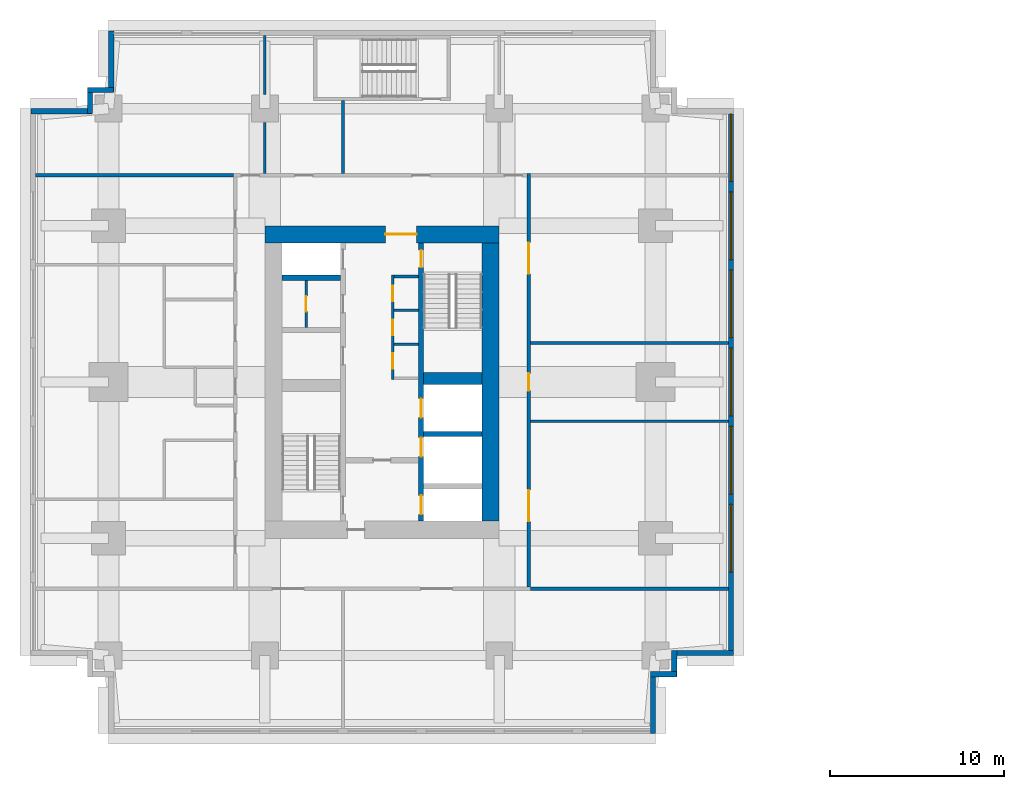
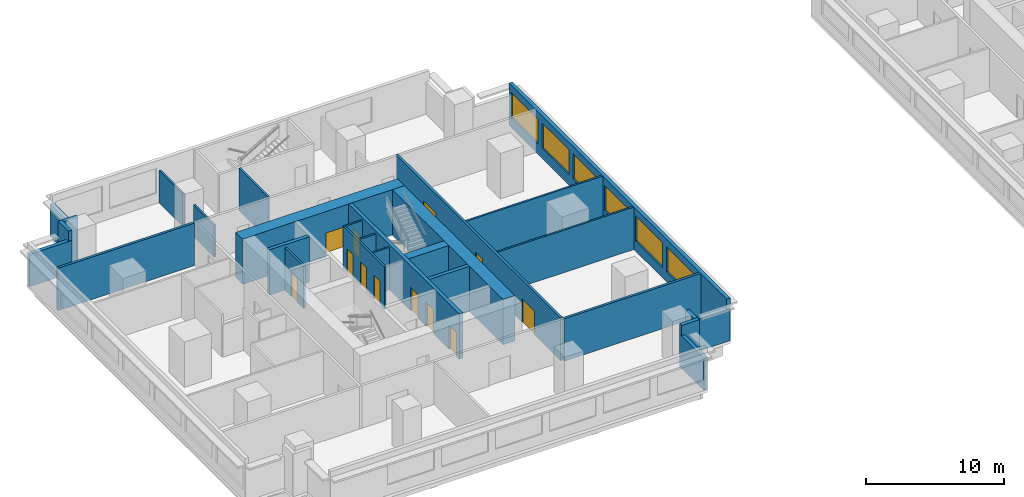
# One storey, part 4 of 11: 28 walls, 12 doors, 6 windows, 18 openings.
"""IFC4 building model written with IfcOpenShell, lengths in metres."""

from ifc_helpers import new_model, si_unit, direction, frame, frame_2d, origin, place, context, subcontext, project, spatial, rectangle, extrude, material, layer, layer_set, type_object, element, fill, save


model = new_model("IFC4")

# Units and contexts
model_context = context("Model", 3, precision=1e-05, world=origin(), true_north=direction((0.0, 1.0)))
body_context = subcontext(model_context, "Body", "Model", "MODEL_VIEW")
ifc_project = project(units=[si_unit("LENGTHUNIT", "METRE"), si_unit("AREAUNIT", "SQUARE_METRE"), si_unit("VOLUMEUNIT", "CUBIC_METRE"), si_unit("PLANEANGLEUNIT", "RADIAN"), si_unit("MASSUNIT", "GRAM", prefix="KILO")], contexts=[model_context])

# Site, building, storey
site_placement = place(None, origin())
site = spatial("IfcSite", under=ifc_project, at=site_placement, CompositionType="ELEMENT")
building_placement = place(site_placement, origin())
building = spatial("IfcBuilding", under=site, at=building_placement, Name="Namib Vertical Campus", CompositionType="ELEMENT")
storey_placement = place(building_placement, frame((0.0, 0.0, 217.0)))
storey = spatial("IfcBuildingStorey", under=building, at=storey_placement, Name="L51", CompositionType="ELEMENT", Elevation=217.0)

# Wall, openings, doors
ifc_material_1 = material(Name="Concrete C60/75", Category="concrete")
ifc_layer_1 = layer(ifc_material_1, 0.300048828125)
ifc_layer_set_1 = layer_set([ifc_layer_1], Name="Concrete C60/75")
wall_type_1 = type_object("IfcWallType", Name="Core inner wall 300", PredefinedType="SHEAR", material=ifc_layer_set_1)
wall_1_placement = place(storey_placement, frame((22.5, 12.25, 0.0), z_axis=(0.0, 0.0, 1.0), x_axis=(0.0, 1.0, 0.0)))
wall_1 = element("IfcWall", 1, at=wall_1_placement, inside=storey, type_object=wall_type_1, Name="Core inner wall A L51 W2", PredefinedType="SHEAR", context=body_context, shape_type="SweptSolid", body=[
    extrude(rectangle(XDim=16.0, YDim=0.300048828125, at=frame_2d((8.0, 0.0))), origin(), (0.0, 0.0, 1.0), 4.0),
])
opening_1_placement = place(wall_1_placement, frame((14.60009765625, 0.0, 0.0)))
opening_1 = element("IfcOpeningElement", 2, at=opening_1_placement, cuts=wall_1, Name="Opening FD1", PredefinedType="OPENING", context=body_context, shape_type="SweptSolid", body=[
    extrude(rectangle(XDim=1.0, YDim=2.10009765625, at=frame_2d((0.5, 1.050048828125))), frame((0.0, 0.159912109375, 0.0), z_axis=(0.0, -1.0, 0.0), x_axis=(1.0, 0.0, 0.0)), (0.0, 0.0, 1.0), 0.320068359375),
])
opening_2_placement = place(wall_1_placement, frame((0.375, 0.0, 0.0)))
opening_2 = element("IfcOpeningElement", 3, at=opening_2_placement, cuts=wall_1, Name="Opening LD1", PredefinedType="OPENING", context=body_context, shape_type="SweptSolid", body=[
    extrude(rectangle(XDim=1.10009765625, YDim=2.10009765625, at=frame_2d((0.550048828125, 1.050048828125))), frame((0.0, 0.159912109375, 0.0), z_axis=(0.0, -1.0, 0.0), x_axis=(1.0, 0.0, 0.0)), (0.0, 0.0, 1.0), 0.320068359375),
])
opening_3_placement = place(wall_1_placement, frame((3.699951171875, 0.0, 0.0)))
opening_3 = element("IfcOpeningElement", 4, at=opening_3_placement, cuts=wall_1, Name="Opening LD1", PredefinedType="OPENING", context=body_context, shape_type="SweptSolid", body=[
    extrude(rectangle(XDim=1.10009765625, YDim=2.10009765625, at=frame_2d((0.550048828125, 1.050048828125))), frame((0.0, 0.159912109375, 0.0), z_axis=(0.0, -1.0, 0.0), x_axis=(1.0, 0.0, 0.0)), (0.0, 0.0, 1.0), 0.320068359375),
])
opening_4_placement = place(wall_1_placement, frame((5.949951171875, 0.0, 0.0)))
opening_4 = element("IfcOpeningElement", 5, at=opening_4_placement, cuts=wall_1, Name="Opening LD1", PredefinedType="OPENING", context=body_context, shape_type="SweptSolid", body=[
    extrude(rectangle(XDim=1.10009765625, YDim=2.10009765625, at=frame_2d((0.550048828125, 1.050048828125))), frame((0.0, 0.159912109375, 0.0), z_axis=(0.0, -1.0, 0.0), x_axis=(1.0, 0.0, 0.0)), (0.0, 0.0, 1.0), 0.320068359375),
])
ifc_material_2 = material(Name="Steel fire door", Category="steel")
door_type_1 = type_object("IfcDoorType", Name="Fire door 1000x2100", OperationType="SINGLE_SWING_RIGHT", PredefinedType="DOOR", material=ifc_material_2)
door_1_placement = place(opening_1_placement, frame((1.0, 0.0, 0.0), z_axis=(0.0, 0.0, 1.0), x_axis=(-1.0, 0.0, 0.0)))
door_1 = element("IfcDoor", 6, at=door_1_placement, inside=storey, type_object=door_type_1, Name="Stair door FD1 A L51 S2", OperationType="SINGLE_SWING_LEFT", OverallHeight=2.10009765625, OverallWidth=1.0, PredefinedType="DOOR", context=body_context, shape_type="SweptSolid", body=[
    extrude(rectangle(XDim=1.0, YDim=2.10009765625, at=frame_2d((0.5, 1.050048828125))), frame((0.0, 0.02490234375, 0.0), z_axis=(0.0, -1.0, 0.0), x_axis=(1.0, 0.0, 0.0)), (0.0, 0.0, 1.0), 0.050048828125),
])
fill(opening_1, door_1)
ifc_material_3 = material(Name="Stainless steel lift door", Category="steel")
door_type_2 = type_object("IfcDoorType", Name="Lift landing door 1100x2100", OperationType="DOUBLE_DOOR_SLIDING", PredefinedType="DOOR", material=ifc_material_3)
door_2_placement = place(opening_2_placement, origin())
door_2 = element("IfcDoor", 7, at=door_2_placement, inside=storey, type_object=door_type_2, Name="Lift landing door LD1 A-FL1 L51", OperationType="DOUBLE_DOOR_SLIDING", OverallHeight=2.10009765625, OverallWidth=1.10009765625, PredefinedType="DOOR", context=body_context, shape_type="SweptSolid", body=[
    extrude(rectangle(XDim=1.10009765625, YDim=2.10009765625, at=frame_2d((0.550048828125, 1.050048828125))), frame((0.0, 0.02490234375, 0.0), z_axis=(0.0, -1.0, 0.0), x_axis=(1.0, 0.0, 0.0)), (0.0, 0.0, 1.0), 0.050048828125),
])
fill(opening_2, door_2)
door_3_placement = place(opening_3_placement, origin())
door_3 = element("IfcDoor", 8, at=door_3_placement, inside=storey, type_object=door_type_2, Name="Lift landing door LD1 A-P4 L51", OperationType="DOUBLE_DOOR_SLIDING", OverallHeight=2.10009765625, OverallWidth=1.10009765625, PredefinedType="DOOR", context=body_context, shape_type="SweptSolid", body=[
    extrude(rectangle(XDim=1.10009765625, YDim=2.10009765625, at=frame_2d((0.550048828125, 1.050048828125))), frame((0.0, 0.02490234375, 0.0), z_axis=(0.0, -1.0, 0.0), x_axis=(1.0, 0.0, 0.0)), (0.0, 0.0, 1.0), 0.050048828125),
])
fill(opening_3, door_3)
door_4_placement = place(opening_4_placement, origin())
door_4 = element("IfcDoor", 9, at=door_4_placement, inside=storey, type_object=door_type_2, Name="Lift landing door LD1 A-P5 L51", OperationType="DOUBLE_DOOR_SLIDING", OverallHeight=2.10009765625, OverallWidth=1.10009765625, PredefinedType="DOOR", context=body_context, shape_type="SweptSolid", body=[
    extrude(rectangle(XDim=1.10009765625, YDim=2.10009765625, at=frame_2d((0.550048828125, 1.050048828125))), frame((0.0, 0.02490234375, 0.0), z_axis=(0.0, -1.0, 0.0), x_axis=(1.0, 0.0, 0.0)), (0.0, 0.0, 1.0), 0.050048828125),
])
fill(opening_4, door_4)

# Walls
for number, where, z_axis, x_axis, name in (
    (10, (22.64990234375, 17.25, 0.0), (0.0, 0.0, 1.0), (1.0, 0.0, 0.0), "Core inner wall A L51 W6"),
    (11, (14.5, 26.25, 0.0), (0.0, 0.0, 1.0), (1.0, 0.0, 0.0), "Core inner wall A L51 W9"),
):
    element("IfcWall", number, at=place(storey_placement, frame(where, z_axis=z_axis, x_axis=x_axis)), inside=storey, type_object=wall_type_1, Name=name, PredefinedType="SHEAR", context=body_context, shape_type="SweptSolid", body=[
        extrude(rectangle(XDim=3.35009765625, YDim=0.300048828125, at=frame_2d((1.675048828125, 0.0))), origin(), (0.0, 0.0, 1.0), 4.0),
    ])
ifc_material_4 = material(Name="Concrete C60/75", Category="concrete")
ifc_layer_2 = layer(ifc_material_4, 0.699951171875)
ifc_layer_set_2 = layer_set([ifc_layer_2], Name="Concrete C60/75")
wall_type_2 = type_object("IfcWallType", Name="Core shear wall 700", PredefinedType="SHEAR", material=ifc_layer_set_2)
wall_2_placement = place(storey_placement, frame((22.64990234375, 20.449951171875, 0.0), z_axis=(0.0, 0.0, 1.0), x_axis=(1.0, 0.0, 0.0)))
element("IfcWall", 12, at=wall_2_placement, inside=storey, type_object=wall_type_2, Name="Core shear wall A L51 W7", PredefinedType="SHEAR", context=body_context, shape_type="SweptSolid", body=[
    extrude(rectangle(XDim=3.35009765625, YDim=0.699951171875, at=frame_2d((1.675048828125, 0.0))), origin(), (0.0, 0.0, 1.0), 4.0),
])
ifc_material_5 = material(Name="Concrete C60/75", Category="concrete")
ifc_layer_3 = layer(ifc_material_5, 1.0)
ifc_layer_set_3 = layer_set([ifc_layer_3], Name="Concrete C60/75")
wall_type_3 = type_object("IfcWallType", Name="Core wall 1000", PredefinedType="SHEAR", material=ifc_layer_set_3)
wall_3_placement = place(storey_placement, frame((26.5, 12.25, 0.0), z_axis=(0.0, 0.0, 1.0), x_axis=(0.0, 1.0, 0.0)))
element("IfcWall", 13, at=wall_3_placement, inside=storey, type_object=wall_type_3, Name="Core wall A L51 2", PredefinedType="SHEAR", context=body_context, shape_type="SweptSolid", body=[
    extrude(rectangle(XDim=16.0, YDim=1.0, at=frame_2d((8.0, 0.0))), origin(), (0.0, 0.0, 1.0), 4.0),
])

# Wall, opening, door
wall_4_placement = place(storey_placement, frame((27.0, 28.75, 0.0), z_axis=(0.0, 0.0, 1.0), x_axis=(-1.0, 0.0, 0.0)))
wall_4 = element("IfcWall", 14, at=wall_4_placement, inside=storey, type_object=wall_type_3, Name="Core wall A L51 3", PredefinedType="SHEAR", context=body_context, shape_type="SweptSolid", body=[
    extrude(rectangle(XDim=13.5, YDim=1.0, at=frame_2d((6.75, 0.0))), origin(), (0.0, 0.0, 1.0), 4.0),
])
opening_5_placement = place(wall_4_placement, frame((4.75, 0.0, 0.0)))
opening_5 = element("IfcOpeningElement", 15, at=opening_5_placement, cuts=wall_4, Name="Opening FD2", PredefinedType="OPENING", context=body_context, shape_type="SweptSolid", body=[
    extrude(rectangle(XDim=1.800048828125, YDim=2.10009765625, at=frame_2d((0.89990234375, 1.050048828125))), frame((0.0, 0.510009765625, 0.0), z_axis=(0.0, -1.0, 0.0), x_axis=(1.0, 0.0, 0.0)), (0.0, 0.0, 1.0), 1.02001953125),
])
ifc_material_6 = material(Name="Steel fire door", Category="steel")
door_type_3 = type_object("IfcDoorType", Name="Fire door double 1800x2100", OperationType="DOUBLE_DOOR_SINGLE_SWING", PredefinedType="DOOR", material=ifc_material_6)
door_5_placement = place(opening_5_placement, origin())
door_5 = element("IfcDoor", 16, at=door_5_placement, inside=storey, type_object=door_type_3, Name="Lift lobby door FD2 A L51", OperationType="DOUBLE_DOOR_SINGLE_SWING", OverallHeight=2.10009765625, OverallWidth=1.800048828125, PredefinedType="DOOR", context=body_context, shape_type="SweptSolid", body=[
    extrude(rectangle(XDim=1.800048828125, YDim=2.10009765625, at=frame_2d((0.89990234375, 1.050048828125))), frame((0.0, 0.02490234375, 0.0), z_axis=(0.0, -1.0, 0.0), x_axis=(1.0, 0.0, 0.0)), (0.0, 0.0, 1.0), 0.050048828125),
])
fill(opening_5, door_5)

# Wall, openings, doors
ifc_material_7 = material(Name="Concrete masonry", Category="masonry")
ifc_layer_4 = layer(ifc_material_7, 0.199951171875)
ifc_layer_set_4 = layer_set([ifc_layer_4], Name="Corridor wall 200")
wall_type_4 = type_object("IfcWallType", Name="Corridor wall 200", PredefinedType="SOLIDWALL", material=ifc_layer_set_4)
wall_5_placement = place(storey_placement, frame((28.699951171875, 8.449951171875, 0.0), z_axis=(0.0, 0.0, 1.0), x_axis=(0.0, 1.0, 0.0)))
wall_5 = element("IfcWall", 17, at=wall_5_placement, inside=storey, type_object=wall_type_4, Name="Corridor wall A L51 CE", PredefinedType="SOLIDWALL", context=body_context, shape_type="SweptSolid", body=[
    extrude(rectangle(XDim=23.800048828125, YDim=0.199951171875, at=frame_2d((11.89990234375, 0.0))), origin(), (0.0, 0.0, 1.0), 3.75),
])
opening_6_placement = place(wall_5_placement, frame((3.77490234375, 0.0, 0.0)))
opening_6 = element("IfcOpeningElement", 18, at=opening_6_placement, cuts=wall_5, Name="Opening CD2", PredefinedType="OPENING", context=body_context, shape_type="SweptSolid", body=[
    extrude(rectangle(XDim=1.800048828125, YDim=2.10009765625, at=frame_2d((0.89990234375, 1.050048828125))), frame((0.0, 0.10986328125, 0.0), z_axis=(0.0, -1.0, 0.0), x_axis=(1.0, 0.0, 0.0)), (0.0, 0.0, 1.0), 0.219970703125),
])
opening_7_placement = place(wall_5_placement, frame((11.300048828125, 0.0, 0.0)))
opening_7 = element("IfcOpeningElement", 19, at=opening_7_placement, cuts=wall_5, Name="Opening CD1", PredefinedType="OPENING", context=body_context, shape_type="SweptSolid", body=[
    extrude(rectangle(XDim=1.0, YDim=2.10009765625, at=frame_2d((0.5, 1.050048828125))), frame((0.0, 0.10986328125, 0.0), z_axis=(0.0, -1.0, 0.0), x_axis=(1.0, 0.0, 0.0)), (0.0, 0.0, 1.0), 0.219970703125),
])
opening_8_placement = place(wall_5_placement, frame((18.02490234375, 0.0, 0.0)))
opening_8 = element("IfcOpeningElement", 20, at=opening_8_placement, cuts=wall_5, Name="Opening CD2", PredefinedType="OPENING", context=body_context, shape_type="SweptSolid", body=[
    extrude(rectangle(XDim=1.800048828125, YDim=2.10009765625, at=frame_2d((0.89990234375, 1.050048828125))), frame((0.0, 0.10986328125, 0.0), z_axis=(0.0, -1.0, 0.0), x_axis=(1.0, 0.0, 0.0)), (0.0, 0.0, 1.0), 0.219970703125),
])
ifc_material_8 = material(Name="Timber fire door leaf", Category="wood")
door_type_4 = type_object("IfcDoorType", Name="Corridor door 1000x2100 20 min", OperationType="SINGLE_SWING_LEFT", PredefinedType="DOOR", material=ifc_material_8)
door_6_placement = place(opening_7_placement, frame((1.0, 0.0, 0.0), z_axis=(0.0, 0.0, 1.0), x_axis=(-1.0, 0.0, 0.0)))
door_6 = element("IfcDoor", 21, at=door_6_placement, inside=storey, type_object=door_type_4, Name="Door CD1 A51-04", OperationType="SINGLE_SWING_RIGHT", OverallHeight=2.10009765625, OverallWidth=1.0, PredefinedType="DOOR", context=body_context, shape_type="SweptSolid", body=[
    extrude(rectangle(XDim=1.0, YDim=2.10009765625, at=frame_2d((0.5, 1.050048828125))), frame((0.0, 0.02490234375, 0.0), z_axis=(0.0, -1.0, 0.0), x_axis=(1.0, 0.0, 0.0)), (0.0, 0.0, 1.0), 0.050048828125),
])
fill(opening_7, door_6)
ifc_material_9 = material(Name="Timber fire door leaf", Category="wood")
door_type_5 = type_object("IfcDoorType", Name="Corridor door double 1800x2100 20 min", OperationType="DOUBLE_DOOR_SINGLE_SWING", PredefinedType="DOOR", material=ifc_material_9)
door_7_placement = place(opening_6_placement, frame((1.800048828125, 0.0, 0.0), z_axis=(0.0, 0.0, 1.0), x_axis=(-1.0, 0.0, 0.0)))
door_7 = element("IfcDoor", 22, at=door_7_placement, inside=storey, type_object=door_type_5, Name="Door CD2 A51-03", OperationType="DOUBLE_DOOR_SINGLE_SWING", OverallHeight=2.10009765625, OverallWidth=1.800048828125, PredefinedType="DOOR", context=body_context, shape_type="SweptSolid", body=[
    extrude(rectangle(XDim=1.800048828125, YDim=2.10009765625, at=frame_2d((0.89990234375, 1.050048828125))), frame((0.0, 0.02490234375, 0.0), z_axis=(0.0, -1.0, 0.0), x_axis=(1.0, 0.0, 0.0)), (0.0, 0.0, 1.0), 0.050048828125),
])
fill(opening_6, door_7)
door_8_placement = place(opening_8_placement, frame((1.800048828125, 0.0, 0.0), z_axis=(0.0, 0.0, 1.0), x_axis=(-1.0, 0.0, 0.0)))
door_8 = element("IfcDoor", 23, at=door_8_placement, inside=storey, type_object=door_type_5, Name="Door CD2 A51-05", OperationType="DOUBLE_DOOR_SINGLE_SWING", OverallHeight=2.10009765625, OverallWidth=1.800048828125, PredefinedType="DOOR", context=body_context, shape_type="SweptSolid", body=[
    extrude(rectangle(XDim=1.800048828125, YDim=2.10009765625, at=frame_2d((0.89990234375, 1.050048828125))), frame((0.0, 0.02490234375, 0.0), z_axis=(0.0, -1.0, 0.0), x_axis=(1.0, 0.0, 0.0)), (0.0, 0.0, 1.0), 0.050048828125),
])
fill(opening_8, door_8)

# Walls
for number, where, z_axis, x_axis, name in (
    (24, (28.800048828125, 8.35009765625, 0.0), (0.0, 0.0, 1.0), (1.0, 0.0, 0.0), "Partition A L51 BSE"),
    (25, (0.300048828125, 32.14990234375, 0.0), (0.0, 0.0, 1.0), (1.0, 0.0, 0.0), "Partition A L51 BNW"),
):
    element("IfcWall", number, at=place(storey_placement, frame(where, z_axis=z_axis, x_axis=x_axis)), inside=storey, type_object=wall_type_4, Name=name, PredefinedType="SOLIDWALL", context=body_context, shape_type="SweptSolid", body=[
        extrude(rectangle(XDim=11.39990234375, YDim=0.199951171875, at=frame_2d((5.699951171875, 0.0))), origin(), (0.0, 0.0, 1.0), 3.75),
    ])
ifc_material_10 = material(Name="Concrete C40/50", Category="concrete")
ifc_layer_5 = layer(ifc_material_10, 0.300048828125)
ifc_layer_set_5 = layer_set([ifc_layer_5], Name="Concrete C40/50")
wall_type_5 = type_object("IfcWallType", Name="External wall 300 board-marked concrete", PredefinedType="STANDARD", material=ifc_layer_set_5)
wall_6_placement = place(storey_placement, frame((35.85009765625, 0.02001953125, 0.0), z_axis=(0.0, 0.0, 1.0), x_axis=(0.0, 1.0, 0.0)))
element("IfcWall", 26, at=wall_6_placement, inside=storey, type_object=wall_type_5, Name="External wall L51 F02", PredefinedType="STANDARD", context=body_context, shape_type="SweptSolid", body=[
    extrude(rectangle(XDim=3.534912109375, YDim=0.300048828125, at=frame_2d((1.767578125, 0.0))), origin(), (0.0, 0.0, 1.0), 2.85009765625),
])
for number, where, z_axis, x_axis, name in (
    (27, (35.719970703125, 3.425048828125, 0.0), (0.0, 0.0, 1.0), (1.0, 0.0, 0.0), "External wall L51 F03"),
    (28, (37.074951171875, 3.294921875, 0.0), (0.0, 0.0, 1.0), (0.0, 1.0, 0.0), "External wall L51 F04"),
):
    element("IfcWall", number, at=place(storey_placement, frame(where, z_axis=z_axis, x_axis=x_axis)), inside=storey, type_object=wall_type_5, Name=name, PredefinedType="STANDARD", context=body_context, shape_type="SweptSolid", body=[
        extrude(rectangle(XDim=1.485107421875, YDim=0.300048828125, at=frame_2d((0.74267578125, 0.0))), origin(), (0.0, 0.0, 1.0), 3.75),
    ])
wall_7_placement = place(storey_placement, frame((36.945068359375, 4.64990234375, 0.0), z_axis=(0.0, 0.0, 1.0), x_axis=(1.0, 0.0, 0.0)))
element("IfcWall", 29, at=wall_7_placement, inside=storey, type_object=wall_type_5, Name="External wall L51 F05", PredefinedType="STANDARD", context=body_context, shape_type="SweptSolid", body=[
    extrude(rectangle(XDim=3.534912109375, YDim=0.300048828125, at=frame_2d((1.767578125, 0.0))), origin(), (0.0, 0.0, 1.0), 2.85009765625),
])

# Wall, openings, windows
wall_8_placement = place(storey_placement, frame((40.35009765625, 4.52001953125, 0.0), z_axis=(0.0, 0.0, 1.0), x_axis=(0.0, 1.0, 0.0)))
wall_8 = element("IfcWall", 30, at=wall_8_placement, inside=storey, type_object=wall_type_5, Name="External wall L51 F06", PredefinedType="STANDARD", context=body_context, shape_type="SweptSolid", body=[
    extrude(rectangle(XDim=31.4599609375, YDim=0.300048828125, at=frame_2d((15.72998046875, 0.0))), origin(), (0.0, 0.0, 1.0), 3.75),
])
opening_9_placement = place(wall_8_placement, frame((4.780029296875, 0.0, 0.89990234375)))
opening_9 = element("IfcOpeningElement", 31, at=opening_9_placement, cuts=wall_8, Name="Opening W1", PredefinedType="OPENING", context=body_context, shape_type="SweptSolid", body=[
    extrude(rectangle(XDim=3.89990234375, YDim=2.199951171875, at=frame_2d((1.949951171875, 1.10009765625))), frame((0.0, 0.159912109375, 0.0), z_axis=(0.0, -1.0, 0.0), x_axis=(1.0, 0.0, 0.0)), (0.0, 0.0, 1.0), 0.320068359375),
])
opening_10_placement = place(wall_8_placement, frame((9.280029296875, 0.0, 0.89990234375)))
opening_10 = element("IfcOpeningElement", 32, at=opening_10_placement, cuts=wall_8, Name="Opening W1", PredefinedType="OPENING", context=body_context, shape_type="SweptSolid", body=[
    extrude(rectangle(XDim=3.89990234375, YDim=2.199951171875, at=frame_2d((1.949951171875, 1.10009765625))), frame((0.0, 0.159912109375, 0.0), z_axis=(0.0, -1.0, 0.0), x_axis=(1.0, 0.0, 0.0)), (0.0, 0.0, 1.0), 0.320068359375),
])
opening_11_placement = place(wall_8_placement, frame((13.780029296875, 0.0, 0.89990234375)))
opening_11 = element("IfcOpeningElement", 33, at=opening_11_placement, cuts=wall_8, Name="Opening W1", PredefinedType="OPENING", context=body_context, shape_type="SweptSolid", body=[
    extrude(rectangle(XDim=3.89990234375, YDim=2.199951171875, at=frame_2d((1.949951171875, 1.10009765625))), frame((0.0, 0.159912109375, 0.0), z_axis=(0.0, -1.0, 0.0), x_axis=(1.0, 0.0, 0.0)), (0.0, 0.0, 1.0), 0.320068359375),
])
opening_12_placement = place(wall_8_placement, frame((18.280029296875, 0.0, 0.89990234375)))
opening_12 = element("IfcOpeningElement", 34, at=opening_12_placement, cuts=wall_8, Name="Opening W1", PredefinedType="OPENING", context=body_context, shape_type="SweptSolid", body=[
    extrude(rectangle(XDim=3.89990234375, YDim=2.199951171875, at=frame_2d((1.949951171875, 1.10009765625))), frame((0.0, 0.159912109375, 0.0), z_axis=(0.0, -1.0, 0.0), x_axis=(1.0, 0.0, 0.0)), (0.0, 0.0, 1.0), 0.320068359375),
])
opening_13_placement = place(wall_8_placement, frame((22.780029296875, 0.0, 0.89990234375)))
opening_13 = element("IfcOpeningElement", 35, at=opening_13_placement, cuts=wall_8, Name="Opening W1", PredefinedType="OPENING", context=body_context, shape_type="SweptSolid", body=[
    extrude(rectangle(XDim=3.89990234375, YDim=2.199951171875, at=frame_2d((1.949951171875, 1.10009765625))), frame((0.0, 0.159912109375, 0.0), z_axis=(0.0, -1.0, 0.0), x_axis=(1.0, 0.0, 0.0)), (0.0, 0.0, 1.0), 0.320068359375),
])
opening_14_placement = place(wall_8_placement, frame((27.280029296875, 0.0, 0.89990234375)))
opening_14 = element("IfcOpeningElement", 36, at=opening_14_placement, cuts=wall_8, Name="Opening W1", PredefinedType="OPENING", context=body_context, shape_type="SweptSolid", body=[
    extrude(rectangle(XDim=3.89990234375, YDim=2.199951171875, at=frame_2d((1.949951171875, 1.10009765625))), frame((0.0, 0.159912109375, 0.0), z_axis=(0.0, -1.0, 0.0), x_axis=(1.0, 0.0, 0.0)), (0.0, 0.0, 1.0), 0.320068359375),
])
ifc_material_11 = material(Name="Dark tinted glass in black aluminium frame", Category="aluminium")
window_type = type_object("IfcWindowType", Name="Ribbon window 3900x2200", PartitioningType="SINGLE_PANEL", PredefinedType="WINDOW", material=ifc_material_11)
window_1_placement = place(opening_9_placement, origin())
window_1 = element("IfcWindow", 37, at=window_1_placement, inside=storey, type_object=window_type, Name="Window W1 L51 F06-2", OverallHeight=2.199951171875, OverallWidth=3.89990234375, PartitioningType="SINGLE_PANEL", PredefinedType="WINDOW", context=body_context, shape_type="SweptSolid", body=[
    extrude(rectangle(XDim=3.89990234375, YDim=2.199951171875, at=frame_2d((1.949951171875, 1.10009765625))), frame((0.0, 0.030029296875, 0.0), z_axis=(0.0, -1.0, 0.0), x_axis=(1.0, 0.0, 0.0)), (0.0, 0.0, 1.0), 0.06005859375),
])
fill(opening_9, window_1)
window_2_placement = place(opening_10_placement, origin())
window_2 = element("IfcWindow", 38, at=window_2_placement, inside=storey, type_object=window_type, Name="Window W1 L51 F06-3", OverallHeight=2.199951171875, OverallWidth=3.89990234375, PartitioningType="SINGLE_PANEL", PredefinedType="WINDOW", context=body_context, shape_type="SweptSolid", body=[
    extrude(rectangle(XDim=3.89990234375, YDim=2.199951171875, at=frame_2d((1.949951171875, 1.10009765625))), frame((0.0, 0.030029296875, 0.0), z_axis=(0.0, -1.0, 0.0), x_axis=(1.0, 0.0, 0.0)), (0.0, 0.0, 1.0), 0.06005859375),
])
fill(opening_10, window_2)
window_3_placement = place(opening_11_placement, origin())
window_3 = element("IfcWindow", 39, at=window_3_placement, inside=storey, type_object=window_type, Name="Window W1 L51 F06-4", OverallHeight=2.199951171875, OverallWidth=3.89990234375, PartitioningType="SINGLE_PANEL", PredefinedType="WINDOW", context=body_context, shape_type="SweptSolid", body=[
    extrude(rectangle(XDim=3.89990234375, YDim=2.199951171875, at=frame_2d((1.949951171875, 1.10009765625))), frame((0.0, 0.030029296875, 0.0), z_axis=(0.0, -1.0, 0.0), x_axis=(1.0, 0.0, 0.0)), (0.0, 0.0, 1.0), 0.06005859375),
])
fill(opening_11, window_3)
window_4_placement = place(opening_12_placement, origin())
window_4 = element("IfcWindow", 40, at=window_4_placement, inside=storey, type_object=window_type, Name="Window W1 L51 F06-5", OverallHeight=2.199951171875, OverallWidth=3.89990234375, PartitioningType="SINGLE_PANEL", PredefinedType="WINDOW", context=body_context, shape_type="SweptSolid", body=[
    extrude(rectangle(XDim=3.89990234375, YDim=2.199951171875, at=frame_2d((1.949951171875, 1.10009765625))), frame((0.0, 0.030029296875, 0.0), z_axis=(0.0, -1.0, 0.0), x_axis=(1.0, 0.0, 0.0)), (0.0, 0.0, 1.0), 0.06005859375),
])
fill(opening_12, window_4)
window_5_placement = place(opening_13_placement, origin())
window_5 = element("IfcWindow", 41, at=window_5_placement, inside=storey, type_object=window_type, Name="Window W1 L51 F06-6", OverallHeight=2.199951171875, OverallWidth=3.89990234375, PartitioningType="SINGLE_PANEL", PredefinedType="WINDOW", context=body_context, shape_type="SweptSolid", body=[
    extrude(rectangle(XDim=3.89990234375, YDim=2.199951171875, at=frame_2d((1.949951171875, 1.10009765625))), frame((0.0, 0.030029296875, 0.0), z_axis=(0.0, -1.0, 0.0), x_axis=(1.0, 0.0, 0.0)), (0.0, 0.0, 1.0), 0.06005859375),
])
fill(opening_13, window_5)
window_6_placement = place(opening_14_placement, origin())
window_6 = element("IfcWindow", 42, at=window_6_placement, inside=storey, type_object=window_type, Name="Window W1 L51 F06-7", OverallHeight=2.199951171875, OverallWidth=3.89990234375, PartitioningType="SINGLE_PANEL", PredefinedType="WINDOW", context=body_context, shape_type="SweptSolid", body=[
    extrude(rectangle(XDim=3.89990234375, YDim=2.199951171875, at=frame_2d((1.949951171875, 1.10009765625))), frame((0.0, 0.030029296875, 0.0), z_axis=(0.0, -1.0, 0.0), x_axis=(1.0, 0.0, 0.0)), (0.0, 0.0, 1.0), 0.06005859375),
])
fill(opening_14, window_6)

# Walls
wall_9_placement = place(storey_placement, frame((4.64990234375, 40.47998046875, 0.0), z_axis=(0.0, 0.0, 1.0), x_axis=(0.0, -1.0, 0.0)))
element("IfcWall", 43, at=wall_9_placement, inside=storey, type_object=wall_type_5, Name="External wall L51 F12", PredefinedType="STANDARD", context=body_context, shape_type="SweptSolid", body=[
    extrude(rectangle(XDim=3.534912109375, YDim=0.300048828125, at=frame_2d((1.767578125, 0.0))), origin(), (0.0, 0.0, 1.0), 2.85009765625),
])
for number, where, z_axis, x_axis, name in (
    (44, (4.780029296875, 37.074951171875, 0.0), (0.0, 0.0, 1.0), (-1.0, 0.0, 0.0), "External wall L51 F13"),
    (45, (3.425048828125, 37.205078125, 0.0), (0.0, 0.0, 1.0), (0.0, -1.0, 0.0), "External wall L51 F14"),
):
    element("IfcWall", number, at=place(storey_placement, frame(where, z_axis=z_axis, x_axis=x_axis)), inside=storey, type_object=wall_type_5, Name=name, PredefinedType="STANDARD", context=body_context, shape_type="SweptSolid", body=[
        extrude(rectangle(XDim=1.485107421875, YDim=0.300048828125, at=frame_2d((0.74267578125, 0.0))), origin(), (0.0, 0.0, 1.0), 3.75),
    ])
wall_10_placement = place(storey_placement, frame((3.554931640625, 35.85009765625, 0.0), z_axis=(0.0, 0.0, 1.0), x_axis=(-1.0, 0.0, 0.0)))
element("IfcWall", 46, at=wall_10_placement, inside=storey, type_object=wall_type_5, Name="External wall L51 F15", PredefinedType="STANDARD", context=body_context, shape_type="SweptSolid", body=[
    extrude(rectangle(XDim=3.534912109375, YDim=0.300048828125, at=frame_2d((1.767578125, 0.0))), origin(), (0.0, 0.0, 1.0), 2.85009765625),
])

# Wall, openings, doors
ifc_material_12 = material(Name="Gypsum board on steel studs", Category="steel")
ifc_layer_6 = layer(ifc_material_12, 0.14990234375)
ifc_layer_set_6 = layer_set([ifc_layer_6], Name="Gypsum board on steel studs")
wall_type_6 = type_object("IfcWallType", Name="Partition 150", PredefinedType="PARTITIONING", material=ifc_layer_set_6)
wall_11_placement = place(storey_placement, frame((20.875, 20.39990234375, 0.0), z_axis=(0.0, 0.0, 1.0), x_axis=(0.0, 1.0, 0.0)))
wall_11 = element("IfcWall", 47, at=wall_11_placement, inside=storey, type_object=wall_type_6, Name="Partition A L51 Records store and Cleaners' store and Linen store front", PredefinedType="PARTITIONING", context=body_context, shape_type="SweptSolid", body=[
    extrude(rectangle(XDim=6.0, YDim=0.14990234375, at=frame_2d((3.0, 0.0))), origin(), (0.0, 0.0, 1.0), 3.75),
])
opening_15_placement = place(wall_11_placement, frame((0.60009765625, 0.0, 0.0)))
opening_15 = element("IfcOpeningElement", 48, at=opening_15_placement, cuts=wall_11, Name="Opening D3", PredefinedType="OPENING", context=body_context, shape_type="SweptSolid", body=[
    extrude(rectangle(XDim=0.89990234375, YDim=2.10009765625, at=frame_2d((0.449951171875, 1.050048828125))), frame((0.0, 0.0849609375, 0.0), z_axis=(0.0, -1.0, 0.0), x_axis=(1.0, 0.0, 0.0)), (0.0, 0.0, 1.0), 0.169921875),
])
opening_16_placement = place(wall_11_placement, frame((2.550048828125, 0.0, 0.0)))
opening_16 = element("IfcOpeningElement", 49, at=opening_16_placement, cuts=wall_11, Name="Opening D3", PredefinedType="OPENING", context=body_context, shape_type="SweptSolid", body=[
    extrude(rectangle(XDim=0.89990234375, YDim=2.10009765625, at=frame_2d((0.449951171875, 1.050048828125))), frame((0.0, 0.0849609375, 0.0), z_axis=(0.0, -1.0, 0.0), x_axis=(1.0, 0.0, 0.0)), (0.0, 0.0, 1.0), 0.169921875),
])
opening_17_placement = place(wall_11_placement, frame((4.5, 0.0, 0.0)))
opening_17 = element("IfcOpeningElement", 50, at=opening_17_placement, cuts=wall_11, Name="Opening D3", PredefinedType="OPENING", context=body_context, shape_type="SweptSolid", body=[
    extrude(rectangle(XDim=0.89990234375, YDim=2.10009765625, at=frame_2d((0.449951171875, 1.050048828125))), frame((0.0, 0.0849609375, 0.0), z_axis=(0.0, -1.0, 0.0), x_axis=(1.0, 0.0, 0.0)), (0.0, 0.0, 1.0), 0.169921875),
])
ifc_material_13 = material(Name="Timber door leaf", Category="wood")
door_type_6 = type_object("IfcDoorType", Name="Toilet door 900x2100", OperationType="SINGLE_SWING_LEFT", PredefinedType="DOOR", material=ifc_material_13)
door_9_placement = place(opening_15_placement, frame((0.89990234375, 0.0, 0.0), z_axis=(0.0, 0.0, 1.0), x_axis=(-1.0, 0.0, 0.0)))
door_9 = element("IfcDoor", 51, at=door_9_placement, inside=storey, type_object=door_type_6, Name="Door D3 Records store A L51", OperationType="SINGLE_SWING_RIGHT", OverallHeight=2.10009765625, OverallWidth=0.89990234375, PredefinedType="DOOR", context=body_context, shape_type="SweptSolid", body=[
    extrude(rectangle(XDim=0.89990234375, YDim=2.10009765625, at=frame_2d((0.449951171875, 1.050048828125))), frame((0.0, 0.02490234375, 0.0), z_axis=(0.0, -1.0, 0.0), x_axis=(1.0, 0.0, 0.0)), (0.0, 0.0, 1.0), 0.050048828125),
])
fill(opening_15, door_9)
door_10_placement = place(opening_16_placement, frame((0.89990234375, 0.0, 0.0), z_axis=(0.0, 0.0, 1.0), x_axis=(-1.0, 0.0, 0.0)))
door_10 = element("IfcDoor", 52, at=door_10_placement, inside=storey, type_object=door_type_6, Name="Door D3 Cleaners' store A L51", OperationType="SINGLE_SWING_RIGHT", OverallHeight=2.10009765625, OverallWidth=0.89990234375, PredefinedType="DOOR", context=body_context, shape_type="SweptSolid", body=[
    extrude(rectangle(XDim=0.89990234375, YDim=2.10009765625, at=frame_2d((0.449951171875, 1.050048828125))), frame((0.0, 0.02490234375, 0.0), z_axis=(0.0, -1.0, 0.0), x_axis=(1.0, 0.0, 0.0)), (0.0, 0.0, 1.0), 0.050048828125),
])
fill(opening_16, door_10)
door_11_placement = place(opening_17_placement, frame((0.89990234375, 0.0, 0.0), z_axis=(0.0, 0.0, 1.0), x_axis=(-1.0, 0.0, 0.0)))
door_11 = element("IfcDoor", 53, at=door_11_placement, inside=storey, type_object=door_type_6, Name="Door D3 Linen store A L51", OperationType="SINGLE_SWING_RIGHT", OverallHeight=2.10009765625, OverallWidth=0.89990234375, PredefinedType="DOOR", context=body_context, shape_type="SweptSolid", body=[
    extrude(rectangle(XDim=0.89990234375, YDim=2.10009765625, at=frame_2d((0.449951171875, 1.050048828125))), frame((0.0, 0.02490234375, 0.0), z_axis=(0.0, -1.0, 0.0), x_axis=(1.0, 0.0, 0.0)), (0.0, 0.0, 1.0), 0.050048828125),
])
fill(opening_17, door_11)

# Walls
for number, where, z_axis, x_axis, name in (
    (54, (20.949951171875, 22.425048828125, 0.0), (0.0, 0.0, 1.0), (1.0, 0.0, 0.0), "Partition A L51 Records store and Cleaners' store and Linen store division 2"),
    (55, (20.949951171875, 24.375, 0.0), (0.0, 0.0, 1.0), (1.0, 0.0, 0.0), "Partition A L51 Records store and Cleaners' store and Linen store division 3"),
    (56, (20.949951171875, 26.324951171875, 0.0), (0.0, 0.0, 1.0), (1.0, 0.0, 0.0), "Partition A L51 Records store and Cleaners' store and Linen store end 4"),
):
    element("IfcWall", number, at=place(storey_placement, frame(where, z_axis=z_axis, x_axis=x_axis)), inside=storey, type_object=wall_type_6, Name=name, PredefinedType="PARTITIONING", context=body_context, shape_type="SweptSolid", body=[
        extrude(rectangle(XDim=1.400146484375, YDim=0.14990234375, at=frame_2d((0.7001953125, 0.0))), origin(), (0.0, 0.0, 1.0), 3.75),
    ])

# Wall, opening, door
wall_12_placement = place(storey_placement, frame((15.875, 23.39990234375, 0.0), z_axis=(0.0, 0.0, 1.0), x_axis=(0.0, 1.0, 0.0)))
wall_12 = element("IfcWall", 57, at=wall_12_placement, inside=storey, type_object=wall_type_6, Name="Partition A L51 Store P2 back", PredefinedType="PARTITIONING", context=body_context, shape_type="SweptSolid", body=[
    extrude(rectangle(XDim=2.7001953125, YDim=0.14990234375, at=frame_2d((1.35009765625, 0.0))), origin(), (0.0, 0.0, 1.0), 3.75),
])
opening_18_placement = place(wall_12_placement, frame((0.89990234375, 0.0, 0.0)))
opening_18 = element("IfcOpeningElement", 58, at=opening_18_placement, cuts=wall_12, Name="Opening D3", PredefinedType="OPENING", context=body_context, shape_type="SweptSolid", body=[
    extrude(rectangle(XDim=0.89990234375, YDim=2.10009765625, at=frame_2d((0.449951171875, 1.050048828125))), frame((0.0, 0.0849609375, 0.0), z_axis=(0.0, -1.0, 0.0), x_axis=(1.0, 0.0, 0.0)), (0.0, 0.0, 1.0), 0.169921875),
])
door_12_placement = place(opening_18_placement, origin())
door_12 = element("IfcDoor", 59, at=door_12_placement, inside=storey, type_object=door_type_6, Name="Door D3 Store A L51 P2", OperationType="SINGLE_SWING_LEFT", OverallHeight=2.10009765625, OverallWidth=0.89990234375, PredefinedType="DOOR", context=body_context, shape_type="SweptSolid", body=[
    extrude(rectangle(XDim=0.89990234375, YDim=2.10009765625, at=frame_2d((0.449951171875, 1.050048828125))), frame((0.0, 0.02490234375, 0.0), z_axis=(0.0, -1.0, 0.0), x_axis=(1.0, 0.0, 0.0)), (0.0, 0.0, 1.0), 0.050048828125),
])
fill(opening_18, door_12)

# Walls
wall_13_placement = place(storey_placement, frame((13.5, 32.25, 0.0), z_axis=(0.0, 0.0, 1.0), x_axis=(0.0, 1.0, 0.0)))
element("IfcWall", 60, at=wall_13_placement, inside=storey, type_object=wall_type_6, Name="Partition A L51 PN1", PredefinedType="PARTITIONING", context=body_context, shape_type="SweptSolid", body=[
    extrude(rectangle(XDim=2.955078125, YDim=0.14990234375, at=frame_2d((1.4775390625, 0.0))), origin(), (0.0, 0.0, 1.0), 2.85009765625),
])
wall_14_placement = place(storey_placement, frame((13.5, 36.794921875, 0.0), z_axis=(0.0, 0.0, 1.0), x_axis=(0.0, 1.0, 0.0)))
element("IfcWall", 61, at=wall_14_placement, inside=storey, type_object=wall_type_6, Name="Partition A L51 PN1", PredefinedType="PARTITIONING", context=body_context, shape_type="SweptSolid", body=[
    extrude(rectangle(XDim=3.405029296875, YDim=0.14990234375, at=frame_2d((1.70263671875, 0.0))), origin(), (0.0, 0.0, 1.0), 2.85009765625),
])
wall_15_placement = place(storey_placement, frame((18.0, 32.25, 0.0), z_axis=(0.0, 0.0, 1.0), x_axis=(0.0, 1.0, 0.0)))
element("IfcWall", 62, at=wall_15_placement, inside=storey, type_object=wall_type_6, Name="Partition A L51 PN2", PredefinedType="PARTITIONING", context=body_context, shape_type="SweptSolid", body=[
    extrude(rectangle(XDim=4.199951171875, YDim=0.14990234375, at=frame_2d((2.10009765625, 0.0))), origin(), (0.0, 0.0, 1.0), 3.75),
])
for number, where, z_axis, x_axis, name in (
    (63, (28.800048828125, 18.0, 0.0), (0.0, 0.0, 1.0), (1.0, 0.0, 0.0), "Partition A L51 PE1"),
    (64, (28.800048828125, 22.5, 0.0), (0.0, 0.0, 1.0), (1.0, 0.0, 0.0), "Partition A L51 PE2"),
):
    element("IfcWall", number, at=place(storey_placement, frame(where, z_axis=z_axis, x_axis=x_axis)), inside=storey, type_object=wall_type_6, Name=name, PredefinedType="PARTITIONING", context=body_context, shape_type="SweptSolid", body=[
        extrude(rectangle(XDim=11.39990234375, YDim=0.14990234375, at=frame_2d((5.699951171875, 0.0))), origin(), (0.0, 0.0, 1.0), 3.75),
    ])

save(model, "model.ifc")
